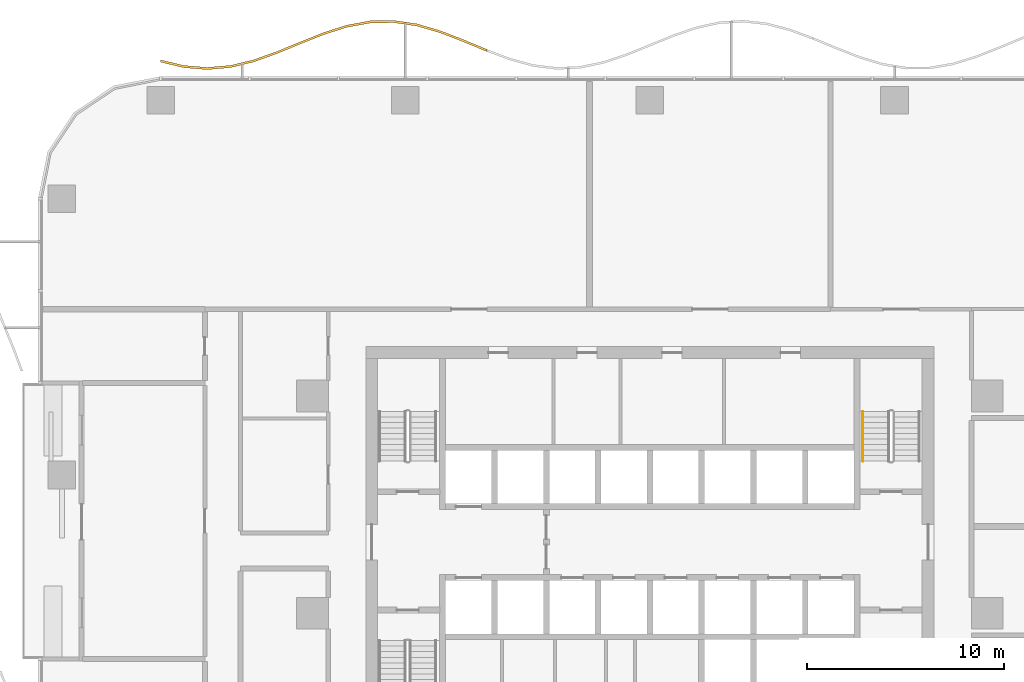
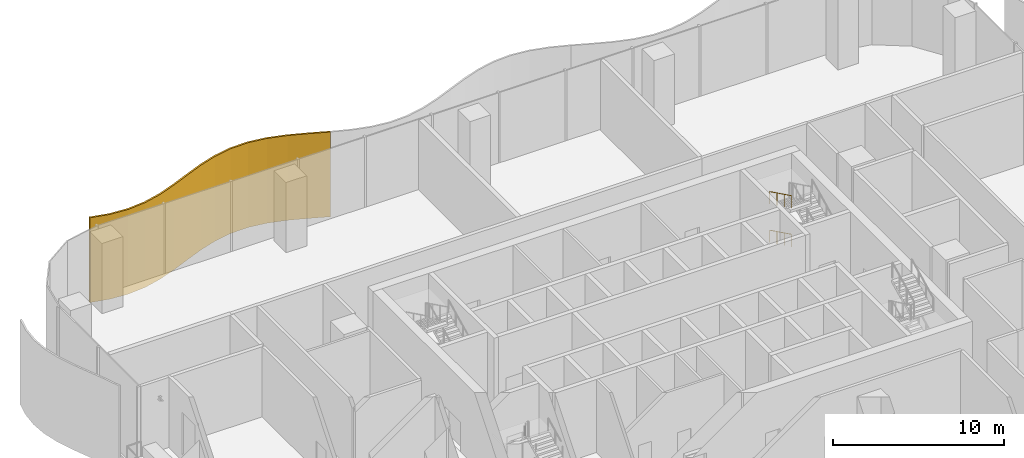
# One storey, part 19 of 21: 2 railings, 1 shading device.
"""IFC4 building model written with IfcOpenShell, lengths in metres."""

from ifc_helpers import new_model, si_unit, direction, frame, origin, origin_2d, place, context, subcontext, project, spatial, polyline, circle, outline, extrude, material, layer, layer_set, type_object, element, save


model = new_model("IFC4")

# Units and contexts
model_context = context("Model", 3, precision=1e-05, world=origin(), true_north=direction((0.0, 1.0)))
body_context = subcontext(model_context, "Body", "Model", "MODEL_VIEW")
ifc_project = project(units=[si_unit("LENGTHUNIT", "METRE"), si_unit("AREAUNIT", "SQUARE_METRE"), si_unit("VOLUMEUNIT", "CUBIC_METRE"), si_unit("PLANEANGLEUNIT", "RADIAN"), si_unit("MASSUNIT", "GRAM", prefix="KILO")], contexts=[model_context])

# Site, building, storey
site_placement = place(None, origin())
site = spatial("IfcSite", under=ifc_project, at=site_placement, CompositionType="ELEMENT")
building_placement = place(site_placement, origin())
building = spatial("IfcBuilding", under=site, at=building_placement, Name="Mopane Tessera Tower", CompositionType="ELEMENT")
storey_placement = place(building_placement, frame((0.0, 0.0, 9.0)))
storey = spatial("IfcBuildingStorey", under=building, at=storey_placement, Name="L01", CompositionType="ELEMENT", Elevation=9.0)

# Railings
ifc_material_1 = material(Name="Powder-coated steel balustrade", Category="steel")
railing_type = type_object("IfcRailingType", Name="Escape stair handrail 900 mm", PredefinedType="HANDRAIL", material=ifc_material_1)
for number, where, name in (
    (1, (10.800048828125, 10.219970703125, 1.512451171875), "L01 ST4 stair handrail 2"),
    (2, (10.800048828125, 10.219970703125, 4.262451171875), "L01 ST4 stair handrail 4"),
):
    element("IfcRailing", number, at=place(storey_placement, frame(where)), inside=storey, type_object=railing_type, Name=name, PredefinedType="HANDRAIL", context=body_context, shape_type="SweptSolid", body=[
        extrude(circle(Radius=0.02392578125, at=origin_2d()), frame((0.0, 0.0, 0.8759765625), z_axis=(0.0, -0.897604431175, 0.440801866075), x_axis=(1.0, 0.0, 0.0)), (0.0, 0.0, 1.0), 2.807373046875),
        extrude(circle(Radius=0.02099609375, at=origin_2d()), origin(), (0.0, 0.0, 1.0), 0.851806640625),
        extrude(circle(Radius=0.02099609375, at=origin_2d()), frame((0.0, -0.840087890625, 0.41259765625)), (0.0, 0.0, 1.0), 0.851806640625),
        extrude(circle(Radius=0.02099609375, at=origin_2d()), frame((0.0, -1.679931640625, 0.824951171875)), (0.0, 0.0, 1.0), 0.851806640625),
        extrude(circle(Radius=0.02099609375, at=origin_2d()), frame((0.0, -2.52001953125, 1.237548828125)), (0.0, 0.0, 1.0), 0.851806640625),
    ])

# Shading device
ifc_material_2 = material(Name="Anodised aluminium louvre blades", Category="aluminium")
ifc_layer = layer(ifc_material_2, 0.1201171875)
ifc_layer_set = layer_set([ifc_layer], Name="Anodised aluminium louvre blades")
shading_device_type = type_object("IfcShadingDeviceType", Name="Wave louvre screen", PredefinedType="JALOUSIE", material=ifc_layer_set)
shading_device_placement = place(storey_placement, frame((0.0, 0.0, -1.0400390625)))
element("IfcShadingDevice", 3, at=shading_device_placement, inside=storey, type_object=shading_device_type, Name="e:lv:L01:N:2", PredefinedType="JALOUSIE", context=body_context, shape_type="SweptSolid", body=[
    extrude(outline(polyline([(-8.2666015625, 28.45654296875), (-9.447509765625, 28.947509765625), (-10.628662109375, 29.403564453125), (-11.8095703125, 29.74853515625), (-12.990478515625, 29.924560546875), (-14.17138671875, 29.902099609375), (-15.352294921875, 29.68505859375), (-16.533447265625, 29.3095703125), (-17.71435546875, 28.838623046875), (-18.895263671875, 28.351318359375), (-20.076171875, 27.928955078125), (-21.257080078125, 27.642578125), (-22.43798828125, 27.5400390625), (-23.619140625, 27.638427734375), (-24.800048828125, 27.921630859375), (-24.800048828125, 28.04150390625), (-23.619140625, 27.758544921875), (-22.43798828125, 27.659912109375), (-21.257080078125, 27.762451171875), (-20.076171875, 28.048828125), (-18.895263671875, 28.47119140625), (-17.71435546875, 28.958740234375), (-16.533447265625, 29.429443359375), (-15.352294921875, 29.804931640625), (-14.17138671875, 30.022216796875), (-12.990478515625, 30.044677734375), (-11.8095703125, 29.86865234375), (-10.628662109375, 29.523681640625), (-9.447509765625, 29.0673828125), (-8.2666015625, 28.576416015625), (-8.2666015625, 28.45654296875)])), origin(), (0.0, 0.0, 1.0), 6.0400390625),
])

save(model, "model.ifc")
